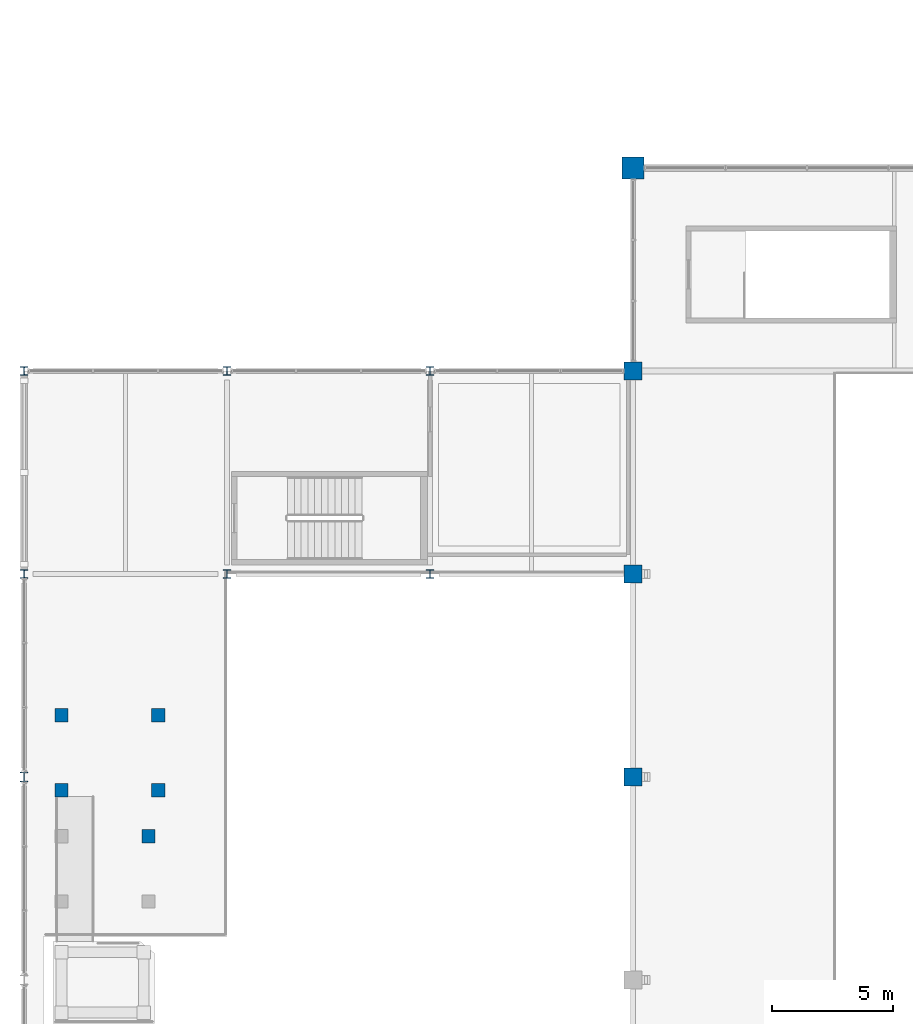
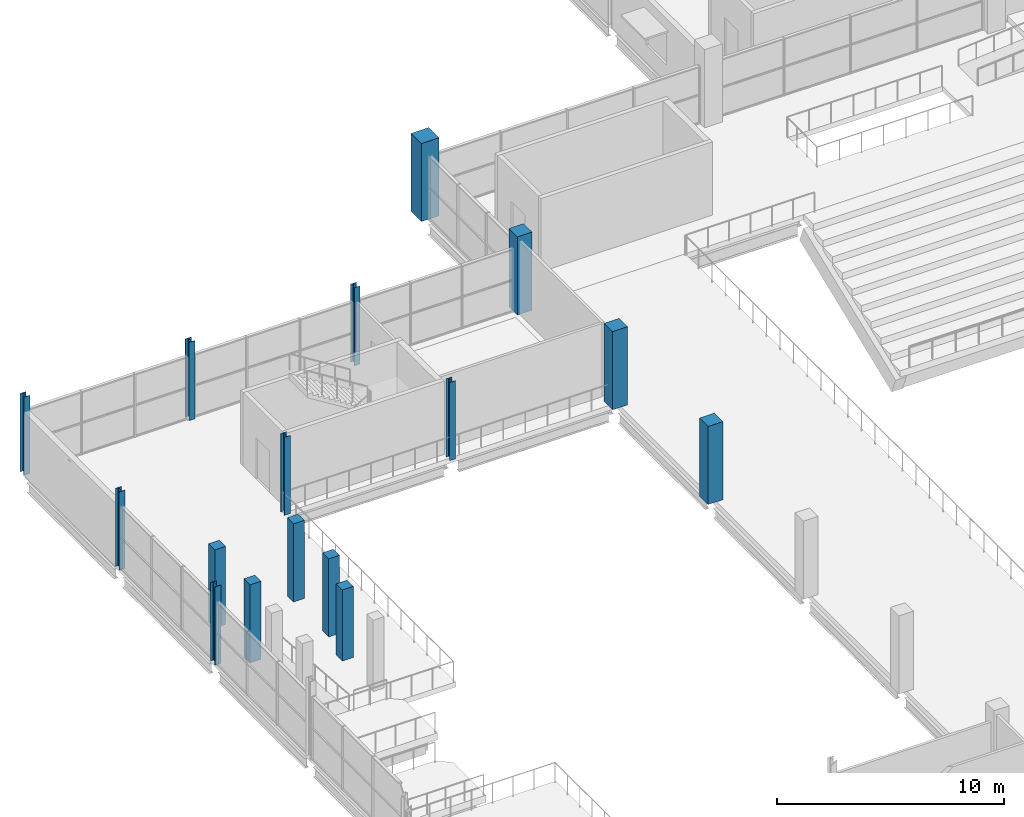
# One storey, part 6 of 161: 16 columns.
"""IFC4 building model written with IfcOpenShell, lengths in metres."""

from ifc_helpers import new_model, si_unit, direction, frame, origin, origin_2d, place, context, subcontext, project, spatial, rectangle, i_section, extrude, material, material_profile, profile_set, type_object, element, save


model = new_model("IFC4")

# Units and contexts
model_context = context("Model", 3, precision=1e-05, world=origin(), true_north=direction((0.0, 1.0)))
body_context = subcontext(model_context, "Body", "Model", "MODEL_VIEW")
ifc_project = project(units=[si_unit("LENGTHUNIT", "METRE"), si_unit("AREAUNIT", "SQUARE_METRE"), si_unit("VOLUMEUNIT", "CUBIC_METRE"), si_unit("PLANEANGLEUNIT", "RADIAN"), si_unit("MASSUNIT", "GRAM", prefix="KILO"), si_unit("THERMODYNAMICTEMPERATUREUNIT", "KELVIN")], contexts=[model_context])

# Site, building, storey
site_placement = place(None, origin())
site = spatial("IfcSite", under=ifc_project, at=site_placement, CompositionType="ELEMENT")
building_placement = place(site_placement, origin())
building = spatial("IfcBuilding", under=site, at=building_placement, Name="Nduvali Passage Aquatics Centre", CompositionType="ELEMENT")
storey_placement = place(building_placement, frame((0.0, 0.0, 4.800048828125)))
storey = spatial("IfcBuildingStorey", under=building, at=storey_placement, Name="L01", CompositionType="ELEMENT", Elevation=4.800048828125)

# Columns
ifc_material_1 = material(Name="Steel S355", Category="steel")
ifc_material_profile_1 = material_profile(ifc_material_1, i_section(OverallWidth=0.300048828125, OverallDepth=0.340087890625, WebThickness=0.011962890625, FlangeThickness=0.021484375, FilletRadius=0.027099609375, at=origin_2d()), Name="HEB 340")
ifc_profile_set_1 = profile_set([ifc_material_profile_1], Name="Steel S355")
column_type_1 = type_object("IfcColumnType", Name="STR-COL-HEB340", PredefinedType="COLUMN", material=ifc_profile_set_1)
for number, where, z_axis, x_axis, name in (
    (1, (8.39990234375, 75.60009765625, 0.0), (0.0, 0.0, 1.0), (1.0, 0.0, 0.0), "L01 Column C7 (8.4, 75.6)"),
    (2, (16.800048828125, 75.60009765625, 0.0), (0.0, 0.0, 1.0), (1.0, 0.0, 0.0), "L01 Column C7 (16.8, 75.6)"),
):
    element("IfcColumn", number, at=place(storey_placement, frame(where, z_axis=z_axis, x_axis=x_axis)), inside=storey, type_object=column_type_1, Name=name, PredefinedType="COLUMN", context=body_context, shape_type="SweptSolid", body=[
        extrude(i_section(OverallWidth=0.300048828125, OverallDepth=0.340087890625, WebThickness=0.011962890625, FlangeThickness=0.021484375, FilletRadius=0.027099609375, at=origin_2d()), origin(), (0.0, 0.0, 1.0), 4.199951171875),
    ])
ifc_material_profile_2 = material_profile(ifc_material_1, i_section(OverallWidth=0.300048828125, OverallDepth=0.340087890625, WebThickness=0.011962890625, FlangeThickness=0.021484375, FilletRadius=0.027099609375, at=origin_2d()), Name="HEB 340")
ifc_profile_set_2 = profile_set([ifc_material_profile_2], Name="Steel S355")
column_type_2 = type_object("IfcColumnType", Name="STR-COL-HEB340-EXT", PredefinedType="COLUMN", material=ifc_profile_set_2)
for number, where, z_axis, x_axis, name in (
    (3, (0.0, 75.60009765625, 0.0), (0.0, 0.0, 1.0), (1.0, 0.0, 0.0), "L01 Column C7E (0.0, 75.6)"),
    (4, (0.0, 84.0, 0.0), (0.0, 0.0, 1.0), (1.0, 0.0, 0.0), "L01 Column C7E (0.0, 84.0)"),
    (5, (8.39990234375, 84.0, 0.0), (0.0, 0.0, 1.0), (1.0, 0.0, 0.0), "L01 Column C7E (8.4, 84.0)"),
    (6, (16.800048828125, 84.0, 0.0), (0.0, 0.0, 1.0), (1.0, 0.0, 0.0), "L01 Column C7E (16.8, 84.0)"),
):
    element("IfcColumn", number, at=place(storey_placement, frame(where, z_axis=z_axis, x_axis=x_axis)), inside=storey, type_object=column_type_2, Name=name, PredefinedType="COLUMN", context=body_context, shape_type="SweptSolid", body=[
        extrude(i_section(OverallWidth=0.300048828125, OverallDepth=0.340087890625, WebThickness=0.011962890625, FlangeThickness=0.021484375, FilletRadius=0.027099609375, at=origin_2d()), origin(), (0.0, 0.0, 1.0), 4.199951171875),
    ])
ifc_material_profile_3 = material_profile(ifc_material_1, i_section(OverallWidth=0.300048828125, OverallDepth=0.39990234375, WebThickness=0.013427734375, FlangeThickness=0.02392578125, FilletRadius=0.027099609375, at=origin_2d()), Name="HEB 400")
ifc_profile_set_3 = profile_set([ifc_material_profile_3], Name="Steel S355")
column_type_3 = type_object("IfcColumnType", Name="STR-COL-HEB400-EXT", PredefinedType="COLUMN", material=ifc_profile_set_3)
column_1_placement = place(storey_placement, frame((0.0, 67.199951171875, 0.0), z_axis=(0.0, 0.0, 1.0), x_axis=(1.0, 0.0, 0.0)))
element("IfcColumn", 7, at=column_1_placement, inside=storey, type_object=column_type_3, Name="L01 Column C7AE (0.0, 67.2)", PredefinedType="COLUMN", context=body_context, shape_type="SweptSolid", body=[
    extrude(i_section(OverallWidth=0.300048828125, OverallDepth=0.39990234375, WebThickness=0.013427734375, FlangeThickness=0.02392578125, FilletRadius=0.027099609375, at=origin_2d()), origin(), (0.0, 0.0, 1.0), 4.199951171875),
])
ifc_material_2 = material(Name="Concrete C40/50", Category="concrete")
ifc_material_profile_4 = material_profile(ifc_material_2, rectangle(XDim=0.550048828125, YDim=0.550048828125, at=origin_2d()), Name="RC 550x550")
ifc_profile_set_4 = profile_set([ifc_material_profile_4], Name="Concrete C40/50")
column_type_4 = type_object("IfcColumnType", Name="STR-COL-RC550", PredefinedType="COLUMN", material=ifc_profile_set_4)
for number, where, z_axis, x_axis, name in (
    (8, (1.550048828125, 66.64990234375, 0.0), (0.0, 0.0, 1.0), (1.0, 0.0, 0.0), "L01 Column C4 (1.6, 66.7)"),
    (9, (1.550048828125, 69.75, 0.0), (0.0, 0.0, 1.0), (1.0, 0.0, 0.0), "L01 Column C4 (1.6, 69.8)"),
):
    element("IfcColumn", number, at=place(storey_placement, frame(where, z_axis=z_axis, x_axis=x_axis)), inside=storey, type_object=column_type_4, Name=name, PredefinedType="COLUMN", context=body_context, shape_type="SweptSolid", body=[
        extrude(rectangle(XDim=0.550048828125, YDim=0.550048828125, at=origin_2d()), origin(), (0.0, 0.0, 1.0), 4.199951171875),
    ])
column_2_placement = place(storey_placement, frame((5.14990234375, 64.75, 0.0), z_axis=(0.0, 0.0, 1.0), x_axis=(1.0, 0.0, 0.0)))
element("IfcColumn", 10, at=column_2_placement, inside=storey, type_object=column_type_4, Name="L01 Column C4 (5.2, 64.8)", PredefinedType="COLUMN", context=body_context, shape_type="SweptSolid", body=[
    extrude(rectangle(XDim=0.550048828125, YDim=0.550048828125, at=origin_2d()), origin(), (0.0, 0.0, 1.0), 3.820068359375),
])
for number, where, z_axis, x_axis, name in (
    (11, (5.550048828125, 66.64990234375, 0.0), (0.0, 0.0, 1.0), (1.0, 0.0, 0.0), "L01 Column C4 (5.5, 66.7)"),
    (12, (5.550048828125, 69.75, 0.0), (0.0, 0.0, 1.0), (1.0, 0.0, 0.0), "L01 Column C4 (5.5, 69.8)"),
):
    element("IfcColumn", number, at=place(storey_placement, frame(where, z_axis=z_axis, x_axis=x_axis)), inside=storey, type_object=column_type_4, Name=name, PredefinedType="COLUMN", context=body_context, shape_type="SweptSolid", body=[
        extrude(rectangle(XDim=0.550048828125, YDim=0.550048828125, at=origin_2d()), origin(), (0.0, 0.0, 1.0), 4.199951171875),
    ])
ifc_material_profile_5 = material_profile(ifc_material_2, rectangle(XDim=0.75, YDim=0.75, at=origin_2d()), Name="RC 750x750")
ifc_profile_set_5 = profile_set([ifc_material_profile_5], Name="Concrete C40/50")
column_type_5 = type_object("IfcColumnType", Name="STR-COL-RC750", PredefinedType="COLUMN", material=ifc_profile_set_5)
for number, where, z_axis, x_axis, name in (
    (13, (25.199951171875, 67.199951171875, 0.0), (0.0, 0.0, 1.0), (1.0, 0.0, 0.0), "L01 Column C2 (25.2, 67.2)"),
    (14, (25.199951171875, 75.60009765625, 0.0), (0.0, 0.0, 1.0), (1.0, 0.0, 0.0), "L01 Column C2 (25.2, 75.6)"),
    (15, (25.199951171875, 84.0, 0.0), (0.0, 0.0, 1.0), (1.0, 0.0, 0.0), "L01 Column C2 (25.2, 84.0)"),
):
    element("IfcColumn", number, at=place(storey_placement, frame(where, z_axis=z_axis, x_axis=x_axis)), inside=storey, type_object=column_type_5, Name=name, PredefinedType="COLUMN", context=body_context, shape_type="SweptSolid", body=[
        extrude(rectangle(XDim=0.75, YDim=0.75, at=origin_2d()), origin(), (0.0, 0.0, 1.0), 4.199951171875),
    ])
ifc_material_profile_6 = material_profile(ifc_material_2, rectangle(XDim=0.89990234375, YDim=0.89990234375, at=origin_2d()), Name="RC 900x900")
ifc_profile_set_6 = profile_set([ifc_material_profile_6], Name="Concrete C40/50")
column_type_6 = type_object("IfcColumnType", Name="STR-COL-RC900-EXT", PredefinedType="COLUMN", material=ifc_profile_set_6)
column_3_placement = place(storey_placement, frame((25.199951171875, 92.39990234375, 0.0), z_axis=(0.0, 0.0, 1.0), x_axis=(1.0, 0.0, 0.0)))
element("IfcColumn", 16, at=column_3_placement, inside=storey, type_object=column_type_6, Name="L01 Column C1E (25.2, 92.4)", PredefinedType="COLUMN", context=body_context, shape_type="SweptSolid", body=[
    extrude(rectangle(XDim=0.89990234375, YDim=0.89990234375, at=origin_2d()), origin(), (0.0, 0.0, 1.0), 4.199951171875),
])

save(model, "model.ifc")
